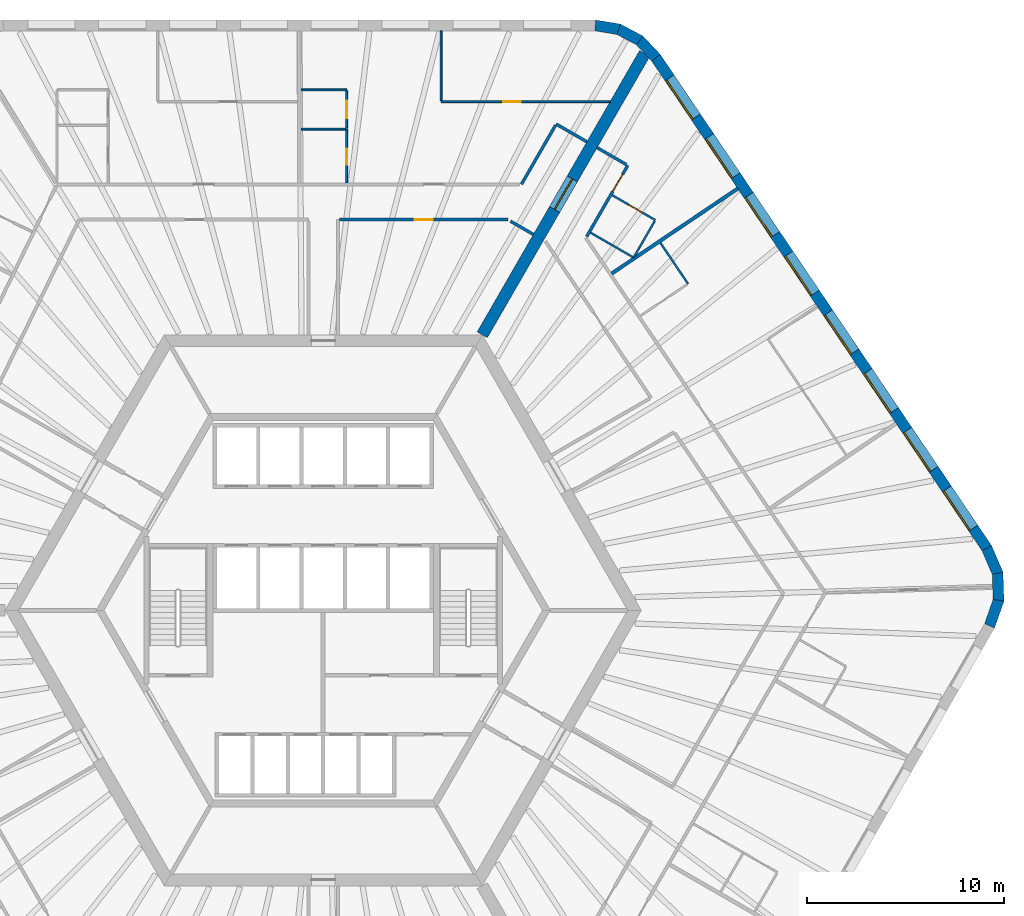
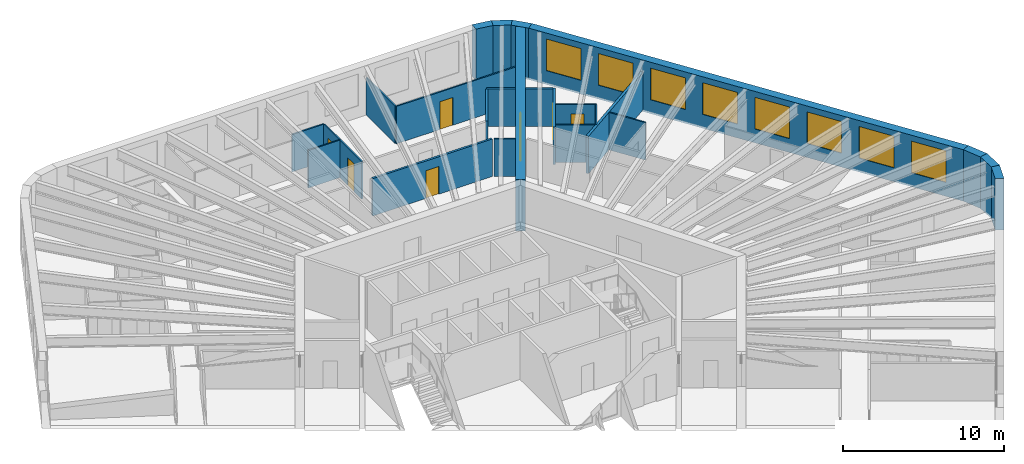
# One storey, part 10 of 12: 25 walls, 8 windows, 7 doors, 15 openings.
"""IFC4 building model written with IfcOpenShell, lengths in metres."""

from ifc_helpers import new_model, si_unit, direction, frame, frame_2d, origin, place, context, subcontext, project, spatial, polyline, rectangle, outline, extrude, material, layer, layer_set, type_object, element, fill, save


model = new_model("IFC4")

# Units and contexts
model_context = context("Model", 3, precision=1e-05, world=origin(), true_north=direction((0.0, 1.0)))
body_context = subcontext(model_context, "Body", "Model", "MODEL_VIEW")
ifc_project = project(units=[si_unit("LENGTHUNIT", "METRE"), si_unit("AREAUNIT", "SQUARE_METRE"), si_unit("VOLUMEUNIT", "CUBIC_METRE"), si_unit("PLANEANGLEUNIT", "RADIAN"), si_unit("MASSUNIT", "GRAM", prefix="KILO")], contexts=[model_context])

# Site, building, storey
site_placement = place(None, origin())
site = spatial("IfcSite", under=ifc_project, at=site_placement, CompositionType="ELEMENT")
building_placement = place(site_placement, origin())
building = spatial("IfcBuilding", under=site, at=building_placement, Name="Tarnside Tower", CompositionType="ELEMENT")
storey_placement = place(building_placement, frame((0.0, 0.0, 138.89990234375)))
storey = spatial("IfcBuildingStorey", under=building, at=storey_placement, Name="L32", CompositionType="ELEMENT", Elevation=138.89990234375)

# Wall, opening, door
ifc_material_1 = material(Name="Gypsum board partition on steel studs", Category="steel")
ifc_layer_1 = layer(ifc_material_1, 0.10009765625)
ifc_layer_set_1 = layer_set([ifc_layer_1], Name="Bathroom wall 100")
wall_type_1 = type_object("IfcWallType", Name="Bathroom wall 100", PredefinedType="PARTITIONING", material=ifc_layer_set_1)
wall_1_placement = place(storey_placement, frame((1.18896484375, 24.449951171875, 0.0), z_axis=(0.0, 0.0, 1.0), x_axis=(0.0, -1.0, 0.0)))
wall_1 = element("IfcWall", 1, at=wall_1_placement, inside=storey, type_object=wall_type_1, Name="Bathroom wall 10076", PredefinedType="PARTITIONING", context=body_context, shape_type="SweptSolid", body=[
    extrude(rectangle(XDim=2.724853515625, YDim=0.10009765625, at=frame_2d((1.3623046875, 0.0))), origin(), (0.0, 0.0, 1.0), 2.837890625),
])
opening_1_placement = place(wall_1_placement, frame((1.0, 0.0, 0.0)))
opening_1 = element("IfcOpeningElement", 2, at=opening_1_placement, cuts=wall_1, Name="Opening D-B1", PredefinedType="OPENING", context=body_context, shape_type="SweptSolid", body=[
    extrude(rectangle(XDim=0.800048828125, YDim=2.10009765625, at=frame_2d((0.39990234375, 1.050048828125))), frame((0.0, 0.06005859375, 0.0), z_axis=(0.0, -1.0, 0.0), x_axis=(1.0, 0.0, 0.0)), (0.0, 0.0, 1.0), 0.1201171875),
])
ifc_material_2 = material(Name="Timber door leaf", Category="wood")
door_type_1 = type_object("IfcDoorType", Name="Bathroom door 800", OperationType="NOTDEFINED", PredefinedType="DOOR", material=ifc_material_2)
door_1_placement = place(opening_1_placement, origin())
door_1 = element("IfcDoor", 3, at=door_1_placement, inside=storey, type_object=door_type_1, Name="Bathroom door 10002", OperationType="SINGLE_SWING_LEFT", OverallHeight=2.10009765625, OverallWidth=0.800048828125, PredefinedType="DOOR", context=body_context, shape_type="SweptSolid", body=[
    extrude(rectangle(XDim=0.800048828125, YDim=2.10009765625, at=frame_2d((0.39990234375, 1.050048828125))), frame((0.0, 0.02490234375, 0.0), z_axis=(0.0, -1.0, 0.0), x_axis=(1.0, 0.0, 0.0)), (0.0, 0.0, 1.0), 0.050048828125),
])
fill(opening_1, door_1)

# Walls
wall_2_placement = place(storey_placement, frame((1.138916015625, 24.449951171875, 0.0), z_axis=(0.0, 0.0, 1.0), x_axis=(-1.0, 0.0, 0.0)))
element("IfcWall", 4, at=wall_2_placement, inside=storey, type_object=wall_type_1, Name="Bathroom wall 10082", PredefinedType="PARTITIONING", context=body_context, shape_type="SweptSolid", body=[
    extrude(rectangle(XDim=2.260009765625, YDim=0.10009765625, at=frame_2d((1.1298828125, 0.0))), origin(), (0.0, 0.0, 1.0), 2.837890625),
])
wall_3_placement = place(storey_placement, frame((17.13720703125, 18.674560546875, 0.0), z_axis=(0.0, 0.0, 1.0), x_axis=(0.559203861497, -0.829030181168, 0.0)))
element("IfcWall", 5, at=wall_3_placement, inside=storey, type_object=wall_type_1, Name="Bathroom wall 10149", PredefinedType="PARTITIONING", context=body_context, shape_type="SweptSolid", body=[
    extrude(rectangle(XDim=2.510009765625, YDim=0.10009765625, at=frame_2d((1.2548828125, 0.0))), origin(), (0.0, 0.0, 1.0), 2.837890625),
])

# Wall, opening, door
wall_4_placement = place(storey_placement, frame((14.6904296875, 21.094482421875, 0.0), z_axis=(0.0, 0.0, 1.0), x_axis=(0.866039067339, -0.499976333282, 0.0)))
wall_4 = element("IfcWall", 6, at=wall_4_placement, inside=storey, type_object=wall_type_1, Name="Bathroom wall 10155", PredefinedType="PARTITIONING", context=body_context, shape_type="SweptSolid", body=[
    extrude(rectangle(XDim=2.52490234375, YDim=0.10009765625, at=frame_2d((1.262451171875, 0.0))), origin(), (0.0, 0.0, 1.0), 2.837890625),
])
opening_2_placement = place(wall_4_placement, frame((0.955078125, 0.0, 0.0)))
opening_2 = element("IfcOpeningElement", 7, at=opening_2_placement, cuts=wall_4, Name="Opening D-B1", PredefinedType="OPENING", context=body_context, shape_type="SweptSolid", body=[
    extrude(rectangle(XDim=0.800048828125, YDim=2.10009765625, at=frame_2d((0.39990234375, 1.050048828125))), frame((0.0, 0.06005859375, 0.0), z_axis=(0.0, -1.0, 0.0), x_axis=(1.0, 0.0, 0.0)), (0.0, 0.0, 1.0), 0.1201171875),
])
door_2_placement = place(opening_2_placement, origin())
door_2 = element("IfcDoor", 8, at=door_2_placement, inside=storey, type_object=door_type_1, Name="Bathroom door 10041", OperationType="SINGLE_SWING_LEFT", OverallHeight=2.10009765625, OverallWidth=0.800048828125, PredefinedType="DOOR", context=body_context, shape_type="SweptSolid", body=[
    extrude(rectangle(XDim=0.800048828125, YDim=2.10009765625, at=frame_2d((0.39990234375, 1.050048828125))), frame((0.0, 0.02490234375, 0.0), z_axis=(0.0, -1.0, 0.0), x_axis=(1.0, 0.0, 0.0)), (0.0, 0.0, 1.0), 0.050048828125),
])
fill(opening_2, door_2)

# Walls
wall_5_placement = place(storey_placement, frame((16.85205078125, 19.788818359375, 0.0), z_axis=(0.0, 0.0, 1.0), x_axis=(-0.499961633463, -0.866047553582, 0.0)))
element("IfcWall", 9, at=wall_5_placement, inside=storey, type_object=wall_type_1, Name="Bathroom wall 10156", PredefinedType="PARTITIONING", context=body_context, shape_type="SweptSolid", body=[
    extrude(rectangle(XDim=2.150146484375, YDim=0.10009765625, at=frame_2d((1.0751953125, 0.0))), origin(), (0.0, 0.0, 1.0), 2.837890625),
])
wall_6_placement = place(storey_placement, frame((15.73388671875, 17.95166015625, 0.0), z_axis=(0.0, 0.0, 1.0), x_axis=(-0.866031185235, 0.4999899861, 0.0)))
element("IfcWall", 10, at=wall_6_placement, inside=storey, type_object=wall_type_1, Name="Bathroom wall 10157", PredefinedType="PARTITIONING", context=body_context, shape_type="SweptSolid", body=[
    extrude(rectangle(XDim=2.47509765625, YDim=0.10009765625, at=frame_2d((1.237548828125, 0.0))), origin(), (0.0, 0.0, 1.0), 2.837890625),
])

# Wall, opening, door
ifc_material_3 = material(Name="Concrete C80/95", Category="concrete")
ifc_layer_2 = layer(ifc_material_3, 0.60009765625)
ifc_layer_set_2 = layer_set([ifc_layer_2], Name="Core wall Z1 600 C80/95")
wall_type_2 = type_object("IfcWallType", Name="Core wall Z1 600 C80/95", PredefinedType="SHEAR", material=ifc_layer_set_2)
wall_7_placement = place(storey_placement, frame((8.0830078125, 14.0, -0.14990234375), z_axis=(0.0, 0.0, 1.0), x_axis=(0.499997680643, 0.866026742862, 0.0)))
wall_7 = element("IfcWall", 11, at=wall_7_placement, inside=storey, type_object=wall_type_2, Name="L32 spine wall 1", PredefinedType="SHEAR", context=body_context, shape_type="SweptSolid", body=[
    extrude(rectangle(XDim=16.5087890625, YDim=0.60009765625, at=frame_2d((8.25439453125, 0.0))), origin(), (0.0, 0.0, 1.0), 3.89990234375),
])
opening_3_placement = place(wall_7_placement, frame((7.3544921875, 0.0, 0.14990234375)))
opening_3 = element("IfcOpeningElement", 12, at=opening_3_placement, cuts=wall_7, Name="Opening CD-SPN", PredefinedType="OPENING", context=body_context, shape_type="SweptSolid", body=[
    extrude(rectangle(XDim=1.800048828125, YDim=2.39990234375, at=frame_2d((0.89990234375, 1.199951171875))), frame((0.0, 0.31005859375, 0.0), z_axis=(0.0, -1.0, 0.0), x_axis=(1.0, 0.0, 0.0)), (0.0, 0.0, 1.0), 0.6201171875),
])
ifc_material_4 = material(Name="Steel fire door", Category="steel")
door_type_2 = type_object("IfcDoorType", Name="Spine passage double door FD60 1800x2400", OperationType="NOTDEFINED", PredefinedType="DOOR", material=ifc_material_4)
door_3_placement = place(opening_3_placement, origin())
door_3 = element("IfcDoor", 13, at=door_3_placement, inside=storey, type_object=door_type_2, Name="L32 spine passage door 1", OperationType="DOUBLE_DOOR_SINGLE_SWING", OverallHeight=2.39990234375, OverallWidth=1.800048828125, PredefinedType="DOOR", context=body_context, shape_type="SweptSolid", body=[
    extrude(rectangle(XDim=1.800048828125, YDim=2.39990234375, at=frame_2d((0.89990234375, 1.199951171875))), frame((0.0, 0.02490234375, 0.0), z_axis=(0.0, -1.0, 0.0), x_axis=(1.0, 0.0, 0.0)), (0.0, 0.0, 1.0), 0.050048828125),
])
fill(opening_3, door_3)

# Walls
ifc_layer_3 = layer(ifc_material_1, 0.14990234375)
ifc_layer_set_3 = layer_set([ifc_layer_3], Name="Corridor wall 150 EI 60")
wall_type_3 = type_object("IfcWallType", Name="Corridor wall 150 EI 60", PredefinedType="PARTITIONING", material=ifc_layer_set_3)
wall_8_placement = place(storey_placement, frame((13.400390625, 23.81005859375, 0.0), z_axis=(0.0, 0.0, 1.0), x_axis=(-0.865989075817, 0.500062916607, 0.0)))
element("IfcWall", 14, at=wall_8_placement, inside=storey, type_object=wall_type_3, Name="Corridor wall 10001", PredefinedType="PARTITIONING", context=body_context, shape_type="SweptSolid", body=[
    extrude(rectangle(XDim=1.800048828125, YDim=0.14990234375, at=frame_2d((0.89990234375, 0.0))), origin(), (0.0, 0.0, 1.0), 2.837890625),
])
wall_9_placement = place(storey_placement, frame((11.803955078125, 24.64501953125, 0.0), z_axis=(0.0, 0.0, 1.0), x_axis=(-0.500003541824, -0.866023358902, 0.0)))
element("IfcWall", 15, at=wall_9_placement, inside=storey, type_object=wall_type_3, Name="Corridor wall 10002", PredefinedType="PARTITIONING", context=body_context, shape_type="SweptSolid", body=[
    extrude(rectangle(XDim=3.45849609375, YDim=0.14990234375, at=frame_2d((1.729248046875, 0.0))), origin(), (0.0, 0.0, 1.0), 2.837890625),
])

# Wall, opening, door
wall_10_placement = place(storey_placement, frame((0.824951171875, 19.85009765625, 0.0), z_axis=(0.0, 0.0, 1.0), x_axis=(1.0, 0.0, 0.0)))
wall_10 = element("IfcWall", 16, at=wall_10_placement, inside=storey, type_object=wall_type_3, Name="Corridor wall 10021", PredefinedType="PARTITIONING", context=body_context, shape_type="SweptSolid", body=[
    extrude(rectangle(XDim=8.564208984375, YDim=0.14990234375, at=frame_2d((4.2822265625, 0.0))), origin(), (0.0, 0.0, 1.0), 2.837890625),
])
opening_4_placement = place(wall_10_placement, frame((3.83203125, 0.0, 0.0)))
opening_4 = element("IfcOpeningElement", 17, at=opening_4_placement, cuts=wall_10, Name="Opening D-S1", PredefinedType="OPENING", context=body_context, shape_type="SweptSolid", body=[
    extrude(rectangle(XDim=0.89990234375, YDim=2.10009765625, at=frame_2d((0.449951171875, 1.050048828125))), frame((0.0, 0.0849609375, 0.0), z_axis=(0.0, -1.0, 0.0), x_axis=(1.0, 0.0, 0.0)), (0.0, 0.0, 1.0), 0.169921875),
])
door_type_3 = type_object("IfcDoorType", Name="Service room door 900 FD30S", OperationType="NOTDEFINED", PredefinedType="DOOR", material=ifc_material_2)
door_4_placement = place(opening_4_placement, origin())
door_4 = element("IfcDoor", 18, at=door_4_placement, inside=storey, type_object=door_type_3, Name="Service door 10043", OperationType="SINGLE_SWING_RIGHT", OverallHeight=2.10009765625, OverallWidth=0.89990234375, PredefinedType="DOOR", context=body_context, shape_type="SweptSolid", body=[
    extrude(rectangle(XDim=0.89990234375, YDim=2.10009765625, at=frame_2d((0.449951171875, 1.050048828125))), frame((0.0, 0.02490234375, 0.0), z_axis=(0.0, -1.0, 0.0), x_axis=(1.0, 0.0, 0.0)), (0.0, 0.0, 1.0), 0.050048828125),
])
fill(opening_4, door_4)

# Wall
wall_11_placement = place(storey_placement, frame((9.51904296875, 19.77490234375, 0.0), z_axis=(0.0, 0.0, 1.0), x_axis=(0.866043397086, -0.499968833392, 0.0)))
element("IfcWall", 19, at=wall_11_placement, inside=storey, type_object=wall_type_3, Name="Corridor wall 10022", PredefinedType="PARTITIONING", context=body_context, shape_type="SweptSolid", body=[
    extrude(rectangle(XDim=1.34375, YDim=0.14990234375, at=frame_2d((0.671875, 0.0))), origin(), (0.0, 0.0, 1.0), 2.837890625),
])

# Wall, opening, door
wall_12_placement = place(storey_placement, frame((13.39208984375, 18.995849609375, 0.0), z_axis=(0.0, 0.0, 1.0), x_axis=(0.499995902753, 0.866027769318, 0.0)))
wall_12 = element("IfcWall", 20, at=wall_12_placement, inside=storey, type_object=wall_type_3, Name="Corridor wall 10063", PredefinedType="PARTITIONING", context=body_context, shape_type="SweptSolid", body=[
    extrude(rectangle(XDim=4.17333984375, YDim=0.14990234375, at=frame_2d((2.086669921875, 0.0))), origin(), (0.0, 0.0, 1.0), 2.837890625),
])
opening_5_placement = place(wall_12_placement, frame((2.64501953125, 0.0, 0.0)))
opening_5 = element("IfcOpeningElement", 21, at=opening_5_placement, cuts=wall_12, Name="Opening D-E1", PredefinedType="OPENING", context=body_context, shape_type="SweptSolid", body=[
    extrude(rectangle(XDim=1.0, YDim=2.10009765625, at=frame_2d((0.5, 1.050048828125))), frame((0.0, 0.0849609375, 0.0), z_axis=(0.0, -1.0, 0.0), x_axis=(1.0, 0.0, 0.0)), (0.0, 0.0, 1.0), 0.169921875),
])
door_type_4 = type_object("IfcDoorType", Name="Unit entrance door 1000 FD30S", OperationType="NOTDEFINED", PredefinedType="DOOR", material=ifc_material_2)
door_5_placement = place(opening_5_placement, origin())
door_5 = element("IfcDoor", 22, at=door_5_placement, inside=storey, type_object=door_type_4, Name="Unit door 10040", OperationType="SINGLE_SWING_LEFT", OverallHeight=2.10009765625, OverallWidth=1.0, PredefinedType="DOOR", context=body_context, shape_type="SweptSolid", body=[
    extrude(rectangle(XDim=1.0, YDim=2.10009765625, at=frame_2d((0.5, 1.050048828125))), frame((0.0, 0.02490234375, 0.0), z_axis=(0.0, -1.0, 0.0), x_axis=(1.0, 0.0, 0.0)), (0.0, 0.0, 1.0), 0.050048828125),
])
fill(opening_5, door_5)

# Walls
wall_13_placement = place(storey_placement, frame((15.413818359375, 22.647705078125, 0.0), z_axis=(0.0, 0.0, 1.0), x_axis=(-0.866074815912, 0.499914405916, 0.0)))
element("IfcWall", 23, at=wall_13_placement, inside=storey, type_object=wall_type_3, Name="Corridor wall 10065", PredefinedType="PARTITIONING", context=body_context, shape_type="SweptSolid", body=[
    extrude(rectangle(XDim=1.724853515625, YDim=0.14990234375, at=frame_2d((0.8623046875, 0.0))), origin(), (0.0, 0.0, 1.0), 2.837890625),
])
ifc_layer_4 = layer(ifc_material_1, 0.179931640625)
ifc_layer_set_4 = layer_set([ifc_layer_4], Name="Demising wall 180 EI 60")
wall_type_4 = type_object("IfcWallType", Name="Demising wall 180 EI 60", PredefinedType="PARTITIONING", material=ifc_layer_set_4)
wall_14_placement = place(storey_placement, frame((21.066162109375, 21.433349609375, 0.0), z_axis=(0.0, 0.0, 1.0), x_axis=(-0.82903328576, -0.559199258853, 0.0)))
element("IfcWall", 24, at=wall_14_placement, inside=storey, type_object=wall_type_4, Name="Demising wall 10153", PredefinedType="PARTITIONING", context=body_context, shape_type="SweptSolid", body=[
    extrude(rectangle(XDim=7.72509765625, YDim=0.179931640625, at=frame_2d((3.862548828125, 0.0))), origin(), (0.0, 0.0, 1.0), 2.837890625),
])
ifc_layer_5 = layer(ifc_material_1, 0.10009765625)
ifc_layer_set_5 = layer_set([ifc_layer_5], Name="Partition 100")
wall_type_5 = type_object("IfcWallType", Name="Partition 100", PredefinedType="PARTITIONING", material=ifc_layer_set_5)
wall_15_placement = place(storey_placement, frame((-1.12109375, 26.449951171875, 0.0), z_axis=(0.0, 0.0, 1.0), x_axis=(1.0, 0.0, 0.0)))
element("IfcWall", 25, at=wall_15_placement, inside=storey, type_object=wall_type_5, Name="Partition wall 10077", PredefinedType="PARTITIONING", context=body_context, shape_type="SweptSolid", body=[
    extrude(rectangle(XDim=2.31005859375, YDim=0.10009765625, at=frame_2d((1.155029296875, 0.0))), origin(), (0.0, 0.0, 1.0), 2.837890625),
])

# Wall, opening, door
wall_16_placement = place(storey_placement, frame((1.18896484375, 26.39990234375, 0.0), z_axis=(0.0, 0.0, 1.0), x_axis=(0.0, -1.0, 0.0)))
wall_16 = element("IfcWall", 26, at=wall_16_placement, inside=storey, type_object=wall_type_5, Name="Partition wall 10078", PredefinedType="PARTITIONING", context=body_context, shape_type="SweptSolid", body=[
    extrude(rectangle(XDim=1.89990234375, YDim=0.10009765625, at=frame_2d((0.949951171875, 0.0))), origin(), (0.0, 0.0, 1.0), 2.837890625),
])
opening_6_placement = place(wall_16_placement, frame((0.5, 0.0, 0.0)))
opening_6 = element("IfcOpeningElement", 27, at=opening_6_placement, cuts=wall_16, Name="Opening D-I1", PredefinedType="OPENING", context=body_context, shape_type="SweptSolid", body=[
    extrude(rectangle(XDim=0.89990234375, YDim=2.10009765625, at=frame_2d((0.449951171875, 1.050048828125))), frame((0.0, 0.06005859375, 0.0), z_axis=(0.0, -1.0, 0.0), x_axis=(1.0, 0.0, 0.0)), (0.0, 0.0, 1.0), 0.1201171875),
])
door_type_5 = type_object("IfcDoorType", Name="Internal door 900", OperationType="NOTDEFINED", PredefinedType="DOOR", material=ifc_material_2)
door_6_placement = place(opening_6_placement, origin())
door_6 = element("IfcDoor", 28, at=door_6_placement, inside=storey, type_object=door_type_5, Name="Internal door 10003", OperationType="SINGLE_SWING_LEFT", OverallHeight=2.10009765625, OverallWidth=0.89990234375, PredefinedType="DOOR", context=body_context, shape_type="SweptSolid", body=[
    extrude(rectangle(XDim=0.89990234375, YDim=2.10009765625, at=frame_2d((0.449951171875, 1.050048828125))), frame((0.0, 0.02490234375, 0.0), z_axis=(0.0, -1.0, 0.0), x_axis=(1.0, 0.0, 0.0)), (0.0, 0.0, 1.0), 0.050048828125),
])
fill(opening_6, door_6)

wall_17_placement = place(storey_placement, frame((14.578125, 25.85009765625, 0.0), z_axis=(0.0, 0.0, 1.0), x_axis=(-1.0, 0.0, 0.0)))
wall_17 = element("IfcWall", 29, at=wall_17_placement, inside=storey, type_object=wall_type_5, Name="Partition wall 10079", PredefinedType="PARTITIONING", context=body_context, shape_type="SweptSolid", body=[
    extrude(rectangle(XDim=8.589111328125, YDim=0.10009765625, at=frame_2d((4.29443359375, 0.0))), origin(), (0.0, 0.0, 1.0), 2.837890625),
])
opening_7_placement = place(wall_17_placement, frame((4.5390625, 0.0, 0.0)))
opening_7 = element("IfcOpeningElement", 30, at=opening_7_placement, cuts=wall_17, Name="Opening D-I1", PredefinedType="OPENING", context=body_context, shape_type="SweptSolid", body=[
    extrude(rectangle(XDim=0.89990234375, YDim=2.10009765625, at=frame_2d((0.449951171875, 1.050048828125))), frame((0.0, 0.06005859375, 0.0), z_axis=(0.0, -1.0, 0.0), x_axis=(1.0, 0.0, 0.0)), (0.0, 0.0, 1.0), 0.1201171875),
])
door_7_placement = place(opening_7_placement, origin())
door_7 = element("IfcDoor", 31, at=door_7_placement, inside=storey, type_object=door_type_5, Name="Internal door 10004", OperationType="SINGLE_SWING_LEFT", OverallHeight=2.10009765625, OverallWidth=0.89990234375, PredefinedType="DOOR", context=body_context, shape_type="SweptSolid", body=[
    extrude(rectangle(XDim=0.89990234375, YDim=2.10009765625, at=frame_2d((0.449951171875, 1.050048828125))), frame((0.0, 0.02490234375, 0.0), z_axis=(0.0, -1.0, 0.0), x_axis=(1.0, 0.0, 0.0)), (0.0, 0.0, 1.0), 0.050048828125),
])
fill(opening_7, door_7)

# Walls
wall_18_placement = place(storey_placement, frame((5.989013671875, 25.89990234375, 0.0), z_axis=(0.0, 0.0, 1.0), x_axis=(0.0, 1.0, 0.0)))
element("IfcWall", 32, at=wall_18_placement, inside=storey, type_object=wall_type_5, Name="Partition wall 10080", PredefinedType="PARTITIONING", context=body_context, shape_type="SweptSolid", body=[
    extrude(rectangle(XDim=3.550048828125, YDim=0.10009765625, at=frame_2d((1.77490234375, 0.0))), origin(), (0.0, 0.0, 1.0), 2.837890625),
])
ifc_material_5 = material(Name="Facing brick", Category="masonry")
ifc_layer_6 = layer(ifc_material_5, 0.10205078125)
ifc_material_6 = material(Name="Concrete C60/75 precast", Category="concrete")
ifc_layer_7 = layer(ifc_material_6, 0.347900390625)
ifc_material_7 = material(Name="Mineral wool insulation")
ifc_layer_8 = layer(ifc_material_7, 0.10009765625)
ifc_layer_set_6 = layer_set([ifc_layer_6, ifc_layer_7, ifc_layer_8], Name="Tube wall 550 brick faced")
wall_type_6 = type_object("IfcWallType", Name="Tube wall 550 brick faced", PredefinedType="SOLIDWALL", material=ifc_layer_set_6)
wall_19_placement = place(storey_placement, frame((33.865966796875, -0.79248046875, -0.14990234375), z_axis=(0.0, 0.0, 1.0), x_axis=(0.33111537203, 0.943590276765, 0.0)))
element("IfcWall", 33, at=wall_19_placement, inside=storey, type_object=wall_type_6, Name="Tube wall L32 F5 chord 17", PredefinedType="SOLIDWALL", context=body_context, shape_type="SweptSolid", body=[
    extrude(outline(polyline([(-0.025634765625, -0.27490234375), (1.4306640625, -0.27490234375), (1.3271484375, 0.27490234375), (0.025634765625, 0.27490234375), (-0.025634765625, -0.27490234375)])), origin(), (0.0, 0.0, 1.0), 3.89990234375),
])
wall_20_placement = place(storey_placement, frame((34.322509765625, 0.508544921875, -0.14990234375), z_axis=(0.0, 0.0, 1.0), x_axis=(-0.034876908462, 0.999391615562, 0.0)))
element("IfcWall", 34, at=wall_20_placement, inside=storey, type_object=wall_type_6, Name="Tube wall L32 F5 chord 18", PredefinedType="SOLIDWALL", context=body_context, shape_type="SweptSolid", body=[
    extrude(outline(polyline([(-0.0517578125, -0.27490234375), (1.4306640625, -0.27490234375), (1.3271484375, 0.27490234375), (0.0517578125, 0.27490234375), (-0.0517578125, -0.27490234375)])), origin(), (0.0, 0.0, 1.0), 3.89990234375),
])
wall_21_placement = place(storey_placement, frame((34.2744140625, 1.88671875, -0.14990234375), z_axis=(0.0, 0.0, 1.0), x_axis=(-0.396161342798, 0.918180913803, 0.0)))
element("IfcWall", 35, at=wall_21_placement, inside=storey, type_object=wall_type_6, Name="Tube wall L32 F5 chord 19", PredefinedType="SOLIDWALL", context=body_context, shape_type="SweptSolid", body=[
    extrude(outline(polyline([(-0.0517578125, -0.27490234375), (1.40478515625, -0.27490234375), (1.353515625, 0.27490234375), (0.0517578125, 0.27490234375), (-0.0517578125, -0.27490234375)])), origin(), (0.0, 0.0, 1.0), 3.89990234375),
])

# Wall, openings, windows
wall_22_placement = place(storey_placement, frame((33.72802734375, 3.153076171875, -0.14990234375), z_axis=(0.0, 0.0, 1.0), x_axis=(-0.559192411416, 0.82903790445, 0.0)))
wall_22 = element("IfcWall", 36, at=wall_22_placement, inside=storey, type_object=wall_type_6, Name="Tube wall L32 F6 flush 20", PredefinedType="SOLIDWALL", context=body_context, shape_type="SweptSolid", body=[
    extrude(outline(polyline([(-0.025634765625, -0.27490234375), (30.09326171875, -0.27490234375), (30.04833984375, 0.27490234375), (0.025634765625, 0.27490234375), (-0.025634765625, -0.27490234375)])), origin(), (0.0, 0.0, 1.0), 3.89990234375),
])
opening_8_placement = place(wall_22_placement, frame((1.235595703125, 0.0, 1.050048828125)))
opening_8 = element("IfcOpeningElement", 37, at=opening_8_placement, cuts=wall_22, Name="Opening WH", PredefinedType="OPENING", context=body_context, shape_type="SweptSolid", body=[
    extrude(rectangle(XDim=2.39990234375, YDim=2.39990234375, at=frame_2d((1.199951171875, 1.199951171875))), frame((0.0, 0.28515625, 0.0), z_axis=(0.0, -1.0, 0.0), x_axis=(1.0, 0.0, 0.0)), (0.0, 0.0, 1.0), 0.570068359375),
])
opening_9_placement = place(wall_22_placement, frame((4.83544921875, 0.0, 1.050048828125)))
opening_9 = element("IfcOpeningElement", 38, at=opening_9_placement, cuts=wall_22, Name="Opening WH", PredefinedType="OPENING", context=body_context, shape_type="SweptSolid", body=[
    extrude(rectangle(XDim=2.39990234375, YDim=2.39990234375, at=frame_2d((1.199951171875, 1.199951171875))), frame((0.0, 0.28515625, 0.0), z_axis=(0.0, -1.0, 0.0), x_axis=(1.0, 0.0, 0.0)), (0.0, 0.0, 1.0), 0.570068359375),
])
opening_10_placement = place(wall_22_placement, frame((8.435546875, 0.0, 1.050048828125)))
opening_10 = element("IfcOpeningElement", 39, at=opening_10_placement, cuts=wall_22, Name="Opening WH", PredefinedType="OPENING", context=body_context, shape_type="SweptSolid", body=[
    extrude(rectangle(XDim=2.39990234375, YDim=2.39990234375, at=frame_2d((1.199951171875, 1.199951171875))), frame((0.0, 0.28515625, 0.0), z_axis=(0.0, -1.0, 0.0), x_axis=(1.0, 0.0, 0.0)), (0.0, 0.0, 1.0), 0.570068359375),
])
opening_11_placement = place(wall_22_placement, frame((12.035400390625, 0.0, 1.050048828125)))
opening_11 = element("IfcOpeningElement", 40, at=opening_11_placement, cuts=wall_22, Name="Opening WH", PredefinedType="OPENING", context=body_context, shape_type="SweptSolid", body=[
    extrude(rectangle(XDim=2.39990234375, YDim=2.39990234375, at=frame_2d((1.199951171875, 1.199951171875))), frame((0.0, 0.28515625, 0.0), z_axis=(0.0, -1.0, 0.0), x_axis=(1.0, 0.0, 0.0)), (0.0, 0.0, 1.0), 0.570068359375),
])
opening_12_placement = place(wall_22_placement, frame((15.635498046875, 0.0, 1.050048828125)))
opening_12 = element("IfcOpeningElement", 41, at=opening_12_placement, cuts=wall_22, Name="Opening WH", PredefinedType="OPENING", context=body_context, shape_type="SweptSolid", body=[
    extrude(rectangle(XDim=2.39990234375, YDim=2.39990234375, at=frame_2d((1.199951171875, 1.199951171875))), frame((0.0, 0.28515625, 0.0), z_axis=(0.0, -1.0, 0.0), x_axis=(1.0, 0.0, 0.0)), (0.0, 0.0, 1.0), 0.570068359375),
])
opening_13_placement = place(wall_22_placement, frame((19.235595703125, 0.0, 1.050048828125)))
opening_13 = element("IfcOpeningElement", 42, at=opening_13_placement, cuts=wall_22, Name="Opening WH", PredefinedType="OPENING", context=body_context, shape_type="SweptSolid", body=[
    extrude(rectangle(XDim=2.39990234375, YDim=2.39990234375, at=frame_2d((1.199951171875, 1.199951171875))), frame((0.0, 0.28515625, 0.0), z_axis=(0.0, -1.0, 0.0), x_axis=(1.0, 0.0, 0.0)), (0.0, 0.0, 1.0), 0.570068359375),
])
opening_14_placement = place(wall_22_placement, frame((22.83544921875, 0.0, 1.050048828125)))
opening_14 = element("IfcOpeningElement", 43, at=opening_14_placement, cuts=wall_22, Name="Opening WH", PredefinedType="OPENING", context=body_context, shape_type="SweptSolid", body=[
    extrude(rectangle(XDim=2.39990234375, YDim=2.39990234375, at=frame_2d((1.199951171875, 1.199951171875))), frame((0.0, 0.28515625, 0.0), z_axis=(0.0, -1.0, 0.0), x_axis=(1.0, 0.0, 0.0)), (0.0, 0.0, 1.0), 0.570068359375),
])
opening_15_placement = place(wall_22_placement, frame((26.435546875, 0.0, 1.050048828125)))
opening_15 = element("IfcOpeningElement", 44, at=opening_15_placement, cuts=wall_22, Name="Opening WH", PredefinedType="OPENING", context=body_context, shape_type="SweptSolid", body=[
    extrude(rectangle(XDim=2.39990234375, YDim=2.39990234375, at=frame_2d((1.199951171875, 1.199951171875))), frame((0.0, 0.28515625, 0.0), z_axis=(0.0, -1.0, 0.0), x_axis=(1.0, 0.0, 0.0)), (0.0, 0.0, 1.0), 0.570068359375),
])
ifc_material_8 = material(Name="Aluminium-framed double glazing", Category="aluminium")
window_type = type_object("IfcWindowType", Name="Hotel window 2400 x 2400", PartitioningType="DOUBLE_PANEL_VERTICAL", PredefinedType="WINDOW", material=ifc_material_8)
window_1_placement = place(opening_8_placement, frame((0.0, 0.205078125, 0.0)))
window_1 = element("IfcWindow", 45, at=window_1_placement, inside=storey, type_object=window_type, Name="E.WN.L32.F6.00", OverallHeight=2.39990234375, OverallWidth=2.39990234375, PartitioningType="DOUBLE_PANEL_VERTICAL", PredefinedType="WINDOW", context=body_context, shape_type="SweptSolid", body=[
    extrude(rectangle(XDim=2.39990234375, YDim=2.39990234375, at=frame_2d((1.199951171875, 1.199951171875))), frame((0.0, 0.030029296875, 0.0), z_axis=(0.0, -1.0, 0.0), x_axis=(1.0, 0.0, 0.0)), (0.0, 0.0, 1.0), 0.06005859375),
])
fill(opening_8, window_1)
window_2_placement = place(opening_9_placement, frame((0.0, 0.205078125, 0.0)))
window_2 = element("IfcWindow", 46, at=window_2_placement, inside=storey, type_object=window_type, Name="E.WN.L32.F6.01", OverallHeight=2.39990234375, OverallWidth=2.39990234375, PartitioningType="DOUBLE_PANEL_VERTICAL", PredefinedType="WINDOW", context=body_context, shape_type="SweptSolid", body=[
    extrude(rectangle(XDim=2.39990234375, YDim=2.39990234375, at=frame_2d((1.199951171875, 1.199951171875))), frame((0.0, 0.030029296875, 0.0), z_axis=(0.0, -1.0, 0.0), x_axis=(1.0, 0.0, 0.0)), (0.0, 0.0, 1.0), 0.06005859375),
])
fill(opening_9, window_2)
window_3_placement = place(opening_10_placement, frame((0.0, 0.205078125, 0.0)))
window_3 = element("IfcWindow", 47, at=window_3_placement, inside=storey, type_object=window_type, Name="E.WN.L32.F6.02", OverallHeight=2.39990234375, OverallWidth=2.39990234375, PartitioningType="DOUBLE_PANEL_VERTICAL", PredefinedType="WINDOW", context=body_context, shape_type="SweptSolid", body=[
    extrude(rectangle(XDim=2.39990234375, YDim=2.39990234375, at=frame_2d((1.199951171875, 1.199951171875))), frame((0.0, 0.030029296875, 0.0), z_axis=(0.0, -1.0, 0.0), x_axis=(1.0, 0.0, 0.0)), (0.0, 0.0, 1.0), 0.06005859375),
])
fill(opening_10, window_3)
window_4_placement = place(opening_11_placement, frame((0.0, 0.205078125, 0.0)))
window_4 = element("IfcWindow", 48, at=window_4_placement, inside=storey, type_object=window_type, Name="E.WN.L32.F6.03", OverallHeight=2.39990234375, OverallWidth=2.39990234375, PartitioningType="DOUBLE_PANEL_VERTICAL", PredefinedType="WINDOW", context=body_context, shape_type="SweptSolid", body=[
    extrude(rectangle(XDim=2.39990234375, YDim=2.39990234375, at=frame_2d((1.199951171875, 1.199951171875))), frame((0.0, 0.030029296875, 0.0), z_axis=(0.0, -1.0, 0.0), x_axis=(1.0, 0.0, 0.0)), (0.0, 0.0, 1.0), 0.06005859375),
])
fill(opening_11, window_4)
window_5_placement = place(opening_12_placement, frame((0.0, 0.205078125, 0.0)))
window_5 = element("IfcWindow", 49, at=window_5_placement, inside=storey, type_object=window_type, Name="E.WN.L32.F6.04", OverallHeight=2.39990234375, OverallWidth=2.39990234375, PartitioningType="DOUBLE_PANEL_VERTICAL", PredefinedType="WINDOW", context=body_context, shape_type="SweptSolid", body=[
    extrude(rectangle(XDim=2.39990234375, YDim=2.39990234375, at=frame_2d((1.199951171875, 1.199951171875))), frame((0.0, 0.030029296875, 0.0), z_axis=(0.0, -1.0, 0.0), x_axis=(1.0, 0.0, 0.0)), (0.0, 0.0, 1.0), 0.06005859375),
])
fill(opening_12, window_5)
window_6_placement = place(opening_13_placement, frame((0.0, 0.205078125, 0.0)))
window_6 = element("IfcWindow", 50, at=window_6_placement, inside=storey, type_object=window_type, Name="E.WN.L32.F6.05", OverallHeight=2.39990234375, OverallWidth=2.39990234375, PartitioningType="DOUBLE_PANEL_VERTICAL", PredefinedType="WINDOW", context=body_context, shape_type="SweptSolid", body=[
    extrude(rectangle(XDim=2.39990234375, YDim=2.39990234375, at=frame_2d((1.199951171875, 1.199951171875))), frame((0.0, 0.030029296875, 0.0), z_axis=(0.0, -1.0, 0.0), x_axis=(1.0, 0.0, 0.0)), (0.0, 0.0, 1.0), 0.06005859375),
])
fill(opening_13, window_6)
window_7_placement = place(opening_14_placement, frame((0.0, 0.205078125, 0.0)))
window_7 = element("IfcWindow", 51, at=window_7_placement, inside=storey, type_object=window_type, Name="E.WN.L32.F6.06", OverallHeight=2.39990234375, OverallWidth=2.39990234375, PartitioningType="DOUBLE_PANEL_VERTICAL", PredefinedType="WINDOW", context=body_context, shape_type="SweptSolid", body=[
    extrude(rectangle(XDim=2.39990234375, YDim=2.39990234375, at=frame_2d((1.199951171875, 1.199951171875))), frame((0.0, 0.030029296875, 0.0), z_axis=(0.0, -1.0, 0.0), x_axis=(1.0, 0.0, 0.0)), (0.0, 0.0, 1.0), 0.06005859375),
])
fill(opening_14, window_7)
window_8_placement = place(opening_15_placement, frame((0.0, 0.205078125, 0.0)))
window_8 = element("IfcWindow", 52, at=window_8_placement, inside=storey, type_object=window_type, Name="E.WN.L32.F6.07", OverallHeight=2.39990234375, OverallWidth=2.39990234375, PartitioningType="DOUBLE_PANEL_VERTICAL", PredefinedType="WINDOW", context=body_context, shape_type="SweptSolid", body=[
    extrude(rectangle(XDim=2.39990234375, YDim=2.39990234375, at=frame_2d((1.199951171875, 1.199951171875))), frame((0.0, 0.030029296875, 0.0), z_axis=(0.0, -1.0, 0.0), x_axis=(1.0, 0.0, 0.0)), (0.0, 0.0, 1.0), 0.06005859375),
])
fill(opening_15, window_8)

# Walls
wall_23_placement = place(storey_placement, frame((16.91259765625, 28.0830078125, -0.14990234375), z_axis=(0.0, 0.0, 1.0), x_axis=(-0.686196220404, 0.727416488061, 0.0)))
element("IfcWall", 53, at=wall_23_placement, inside=storey, type_object=wall_type_6, Name="Tube wall L32 F6 chord 21", PredefinedType="SOLIDWALL", context=body_context, shape_type="SweptSolid", body=[
    extrude(outline(polyline([(-0.0224609375, -0.27490234375), (1.25341796875, -0.27490234375), (1.1630859375, 0.27490234375), (0.0224609375, 0.27490234375), (-0.0224609375, -0.27490234375)])), origin(), (0.0, 0.0, 1.0), 3.89990234375),
])
wall_24_placement = place(storey_placement, frame((16.08349609375, 28.9619140625, -0.14990234375), z_axis=(0.0, 0.0, 1.0), x_axis=(-0.882995347911, 0.469381737574, 0.0)))
element("IfcWall", 54, at=wall_24_placement, inside=storey, type_object=wall_type_6, Name="Tube wall L32 F6 chord 22", PredefinedType="SOLIDWALL", context=body_context, shape_type="SweptSolid", body=[
    extrude(outline(polyline([(-0.045166015625, -0.27490234375), (1.25341796875, -0.27490234375), (1.1630859375, 0.27490234375), (0.045166015625, 0.27490234375), (-0.045166015625, -0.27490234375)])), origin(), (0.0, 0.0, 1.0), 3.89990234375),
])
wall_25_placement = place(storey_placement, frame((15.0166015625, 29.529052734375, -0.14990234375), z_axis=(0.0, 0.0, 1.0), x_axis=(-0.986746625868, 0.162268593195, 0.0)))
element("IfcWall", 55, at=wall_25_placement, inside=storey, type_object=wall_type_6, Name="Tube wall L32 F6 chord 23", PredefinedType="SOLIDWALL", context=body_context, shape_type="SweptSolid", body=[
    extrude(outline(polyline([(-0.045166015625, -0.27490234375), (1.230712890625, -0.27490234375), (1.185791015625, 0.27490234375), (0.045166015625, 0.27490234375), (-0.045166015625, -0.27490234375)])), origin(), (0.0, 0.0, 1.0), 3.89990234375),
])

save(model, "model.ifc")
